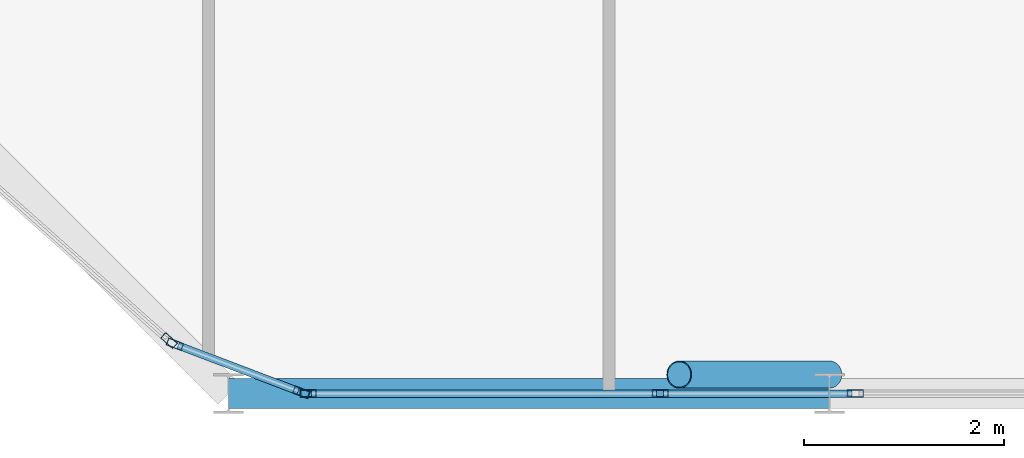
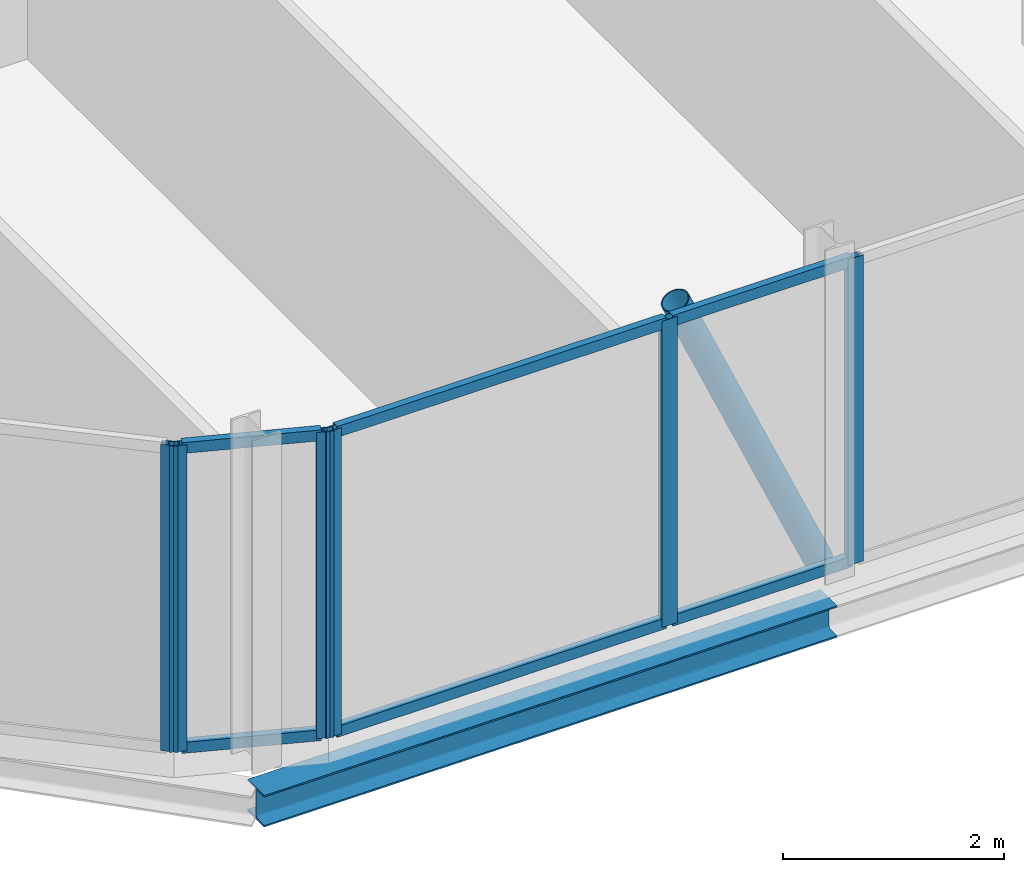
# One storey, part 6 of 27: 13 members, 1 beam, 5 elements without a shape of their own.
"""IFC4 building model written with IfcOpenShell, lengths in metres."""

from ifc_helpers import new_model, si_unit, direction, frame, origin, origin_2d, place, context, subcontext, project, spatial, hollow_rectangle, hollow_circle, i_section, extrude, material, layer, layer_set, material_profile, profile_set, type_object, element, aggregate, save


model = new_model("IFC4")

# Units and contexts
model_context = context("Model", 3, precision=1e-05, world=origin(), true_north=direction((0.0, 1.0)))
body_context = subcontext(model_context, "Body", "Model", "MODEL_VIEW")
ifc_project = project(units=[si_unit("LENGTHUNIT", "METRE"), si_unit("AREAUNIT", "SQUARE_METRE"), si_unit("VOLUMEUNIT", "CUBIC_METRE"), si_unit("PLANEANGLEUNIT", "RADIAN"), si_unit("MASSUNIT", "GRAM", prefix="KILO")], contexts=[model_context])

# Site, building, storey
site_placement = place(None, origin())
site = spatial("IfcSite", under=ifc_project, at=site_placement, CompositionType="ELEMENT")
building_placement = place(site_placement, origin())
building = spatial("IfcBuilding", under=site, at=building_placement, Name="Keshet Zoharim Tower", CompositionType="ELEMENT")
storey_placement = place(building_placement, frame((0.0, 0.0, 284.300048828125)))
storey = spatial("IfcBuildingStorey", under=building, at=storey_placement, Name="L71", CompositionType="ELEMENT", Elevation=284.300048828125)

# Beam
ifc_material_1 = material(Name="Steel S355", Category="steel")
ifc_material_profile_1 = material_profile(ifc_material_1, i_section(OverallWidth=0.300048828125, OverallDepth=0.35009765625, WebThickness=0.010009765625, FlangeThickness=0.017578125, FilletRadius=0.027099609375, at=origin_2d()), Name="HEA360")
ifc_profile_set_1 = profile_set([ifc_material_profile_1], Name="Steel S355")
beam_type = type_object("IfcBeamType", Name="BM-PRI-HA360", PredefinedType="BEAM", material=ifc_profile_set_1)
beam_placement = place(storey_placement, frame((21.0, 6.699951171875, -0.485107421875), z_axis=(1.0, 0.0, 0.0), x_axis=(0.0, 1.0, 0.0)))
element("IfcBeam", 1, at=beam_placement, inside=storey, type_object=beam_type, Name="L71 Primary Girder X-001", PredefinedType="BEAM", context=body_context, shape_type="SweptSolid", body=[
    extrude(i_section(OverallWidth=0.300048828125, OverallDepth=0.35009765625, WebThickness=0.010009765625, FlangeThickness=0.017578125, FilletRadius=0.027099609375, at=origin_2d()), origin(), (0.0, 0.0, 1.0), 6.0),
])

# Curtain wall, member
ifc_material_2 = material(Name="Aluminium 6063-T6", Category="aluminium")
ifc_layer = layer(ifc_material_2, 0.260009765625)
ifc_layer_set = layer_set([ifc_layer], Name="Aluminium 6063-T6")
curtain_wall_type = type_object("IfcCurtainWallType", Name="CW-SYS-06", PredefinedType="NOTDEFINED", material=ifc_layer_set)
curtain_wall_1_placement = place(storey_placement, origin())
curtain_wall_1 = element("IfcCurtainWall", 2, at=curtain_wall_1_placement, inside=storey, type_object=curtain_wall_type, Name="L71 Unitised Curtain Wall 14", PredefinedType="NOTDEFINED")
ifc_material_profile_2 = material_profile(ifc_material_2, hollow_rectangle(XDim=0.074951171875, YDim=0.159912109375, WallThickness=0.00390625, at=origin_2d()), Name="MUL-75x160")
ifc_profile_set_2 = profile_set([ifc_material_profile_2], Name="Aluminium 6063-T6")
member_type_1 = type_object("IfcMemberType", Name="CWM-M15", PredefinedType="MULLION", material=ifc_profile_set_2)
member_1_placement = place(storey_placement, frame((27.259765625, 6.699951171875, 0.0), z_axis=(0.0, 0.0, 1.0), x_axis=(0.0, -1.0, 0.0)))
member_1 = element("IfcMember", 3, at=member_1_placement, type_object=member_type_1, Name="CW-06 mullion 2", PredefinedType="MULLION", context=body_context, shape_type="SweptSolid", body=[
    extrude(hollow_rectangle(XDim=0.074951171875, YDim=0.159912109375, WallThickness=0.00390625, at=origin_2d()), origin(), (0.0, 0.0, 1.0), 3.389892578125),
])
aggregate(curtain_wall_1, [member_1])

curtain_wall_2_placement = place(storey_placement, origin())
curtain_wall_2 = element("IfcCurtainWall", 4, at=curtain_wall_2_placement, inside=storey, type_object=curtain_wall_type, Name="L71 Unitised Curtain Wall 14 Part 2", PredefinedType="NOTDEFINED")
member_2_placement = place(storey_placement, frame((25.310302734375, 6.699951171875, 0.0), z_axis=(0.0, 0.0, 1.0), x_axis=(0.0, -1.0, 0.0)))
member_2 = element("IfcMember", 5, at=member_2_placement, type_object=member_type_1, Name="CW-06 mullion 2", PredefinedType="MULLION", context=body_context, shape_type="SweptSolid", body=[
    extrude(hollow_rectangle(XDim=0.074951171875, YDim=0.159912109375, WallThickness=0.00390625, at=origin_2d()), origin(), (0.0, 0.0, 1.0), 3.389892578125),
])

curtain_wall_3_placement = place(storey_placement, origin())
curtain_wall_3 = element("IfcCurtainWall", 6, at=curtain_wall_3_placement, inside=storey, type_object=curtain_wall_type, Name="L71 Unitised Curtain Wall 14 Part 3", PredefinedType="NOTDEFINED")
member_3_placement = place(storey_placement, frame((21.794921875, 6.699951171875, 0.0), z_axis=(0.0, 0.0, 1.0), x_axis=(0.0, -1.0, 0.0)))
member_3 = element("IfcMember", 7, at=member_3_placement, type_object=member_type_1, Name="CW-06 mullion 2", PredefinedType="MULLION", context=body_context, shape_type="SweptSolid", body=[
    extrude(hollow_rectangle(XDim=0.074951171875, YDim=0.159912109375, WallThickness=0.00390625, at=origin_2d()), origin(), (0.0, 0.0, 1.0), 3.389892578125),
])

# Curtain wall, members
curtain_wall_4_placement = place(storey_placement, origin())
curtain_wall_4 = element("IfcCurtainWall", 8, at=curtain_wall_4_placement, inside=storey, type_object=curtain_wall_type, Name="L71 Unitised Curtain Wall 15", PredefinedType="NOTDEFINED")
member_4_placement = place(storey_placement, frame((21.727294921875, 6.71240234375, 0.0), z_axis=(0.0, 0.0, 1.0), x_axis=(-0.355439161326, -0.934699418314, 0.0)))
member_4 = element("IfcMember", 9, at=member_4_placement, type_object=member_type_1, Name="CW-06 mullion 1", PredefinedType="MULLION", context=body_context, shape_type="SweptSolid", body=[
    extrude(hollow_rectangle(XDim=0.074951171875, YDim=0.159912109375, WallThickness=0.00390625, at=origin_2d()), origin(), (0.0, 0.0, 1.0), 3.389892578125),
])
member_5_placement = place(storey_placement, frame((20.464599609375, 7.192626953125, 0.0), z_axis=(0.0, 0.0, 1.0), x_axis=(-0.355439161326, -0.934699418314, 0.0)))
member_5 = element("IfcMember", 10, at=member_5_placement, type_object=member_type_1, Name="CW-06 mullion 2", PredefinedType="MULLION", context=body_context, shape_type="SweptSolid", body=[
    extrude(hollow_rectangle(XDim=0.074951171875, YDim=0.159912109375, WallThickness=0.00390625, at=origin_2d()), origin(), (0.0, 0.0, 1.0), 3.389892578125),
])

# Curtain wall, member
curtain_wall_5_placement = place(storey_placement, origin())
curtain_wall_5 = element("IfcCurtainWall", 11, at=curtain_wall_5_placement, inside=storey, type_object=curtain_wall_type, Name="L71 Unitised Curtain Wall 16", PredefinedType="NOTDEFINED")
member_6_placement = place(storey_placement, frame((20.40576171875, 7.228271484375, 0.0), z_axis=(0.0, 0.0, 1.0), x_axis=(-0.664362180559, -0.747410792699, 0.0)))
member_6 = element("IfcMember", 12, at=member_6_placement, type_object=member_type_1, Name="CW-06 mullion 1", PredefinedType="MULLION", context=body_context, shape_type="SweptSolid", body=[
    extrude(hollow_rectangle(XDim=0.074951171875, YDim=0.159912109375, WallThickness=0.00390625, at=origin_2d()), origin(), (0.0, 0.0, 1.0), 3.389892578125),
])
aggregate(curtain_wall_5, [member_6])

# Member
ifc_material_profile_3 = material_profile(ifc_material_2, hollow_rectangle(XDim=0.074951171875, YDim=0.1201171875, WallThickness=0.00390625, at=origin_2d()), Name="TRN-75x120")
ifc_profile_set_3 = profile_set([ifc_material_profile_3], Name="Aluminium 6063-T6")
member_type_2 = type_object("IfcMemberType", Name="CWT-T12", PredefinedType="USERDEFINED", material=ifc_profile_set_3)
member_7_placement = place(storey_placement, frame((27.224853515625, 6.699951171875, 0.034912109375), z_axis=(-1.0, 0.0, 0.0), x_axis=(0.0, -1.0, 0.0)))
member_7 = element("IfcMember", 13, at=member_7_placement, type_object=member_type_2, Name="CW-06 transom 1.1", ObjectType="TRANSOM", PredefinedType="USERDEFINED", context=body_context, shape_type="SweptSolid", body=[
    extrude(hollow_rectangle(XDim=0.074951171875, YDim=0.1201171875, WallThickness=0.00390625, at=origin_2d()), origin(), (0.0, 0.0, 1.0), 1.879638671875),
])

member_8_placement = place(storey_placement, frame((27.224853515625, 6.699951171875, 3.35498046875), z_axis=(-1.0, 0.0, 0.0), x_axis=(0.0, -1.0, 0.0)))
member_8 = element("IfcMember", 14, at=member_8_placement, type_object=member_type_2, Name="CW-06 transom 1.2", ObjectType="TRANSOM", PredefinedType="USERDEFINED", context=body_context, shape_type="SweptSolid", body=[
    extrude(hollow_rectangle(XDim=0.074951171875, YDim=0.1201171875, WallThickness=0.00390625, at=origin_2d()), origin(), (0.0, 0.0, 1.0), 1.879638671875),
])

aggregate(curtain_wall_2, [member_2, member_7, member_8])

member_9_placement = place(storey_placement, frame((25.275146484375, 6.699951171875, 0.034912109375), z_axis=(-1.0, 0.0, 0.0), x_axis=(0.0, -1.0, 0.0)))
member_9 = element("IfcMember", 15, at=member_9_placement, type_object=member_type_2, Name="CW-06 transom 1.1", ObjectType="TRANSOM", PredefinedType="USERDEFINED", context=body_context, shape_type="SweptSolid", body=[
    extrude(hollow_rectangle(XDim=0.074951171875, YDim=0.1201171875, WallThickness=0.00390625, at=origin_2d()), origin(), (0.0, 0.0, 1.0), 3.445068359375),
])

member_10_placement = place(storey_placement, frame((25.275146484375, 6.699951171875, 3.35498046875), z_axis=(-1.0, 0.0, 0.0), x_axis=(0.0, -1.0, 0.0)))
member_10 = element("IfcMember", 16, at=member_10_placement, type_object=member_type_2, Name="CW-06 transom 1.2", ObjectType="TRANSOM", PredefinedType="USERDEFINED", context=body_context, shape_type="SweptSolid", body=[
    extrude(hollow_rectangle(XDim=0.074951171875, YDim=0.1201171875, WallThickness=0.00390625, at=origin_2d()), origin(), (0.0, 0.0, 1.0), 3.445068359375),
])

aggregate(curtain_wall_3, [member_3, member_9, member_10])

member_11_placement = place(storey_placement, frame((21.694580078125, 6.724853515625, 0.034912109375), z_axis=(-0.934689881536, 0.355464239206, 0.0), x_axis=(-0.355464239206, -0.934689881536, 0.0)))
member_11 = element("IfcMember", 17, at=member_11_placement, type_object=member_type_2, Name="CW-06 transom 1.1", ObjectType="TRANSOM", PredefinedType="USERDEFINED", context=body_context, shape_type="SweptSolid", body=[
    extrude(hollow_rectangle(XDim=0.074951171875, YDim=0.1201171875, WallThickness=0.00390625, at=origin_2d()), origin(), (0.0, 0.0, 1.0), 1.281005859375),
])

member_12_placement = place(storey_placement, frame((21.694580078125, 6.724853515625, 3.35498046875), z_axis=(-0.934689881536, 0.355464239206, 0.0), x_axis=(-0.355464239206, -0.934689881536, 0.0)))
member_12 = element("IfcMember", 18, at=member_12_placement, type_object=member_type_2, Name="CW-06 transom 1.2", ObjectType="TRANSOM", PredefinedType="USERDEFINED", context=body_context, shape_type="SweptSolid", body=[
    extrude(hollow_rectangle(XDim=0.074951171875, YDim=0.1201171875, WallThickness=0.00390625, at=origin_2d()), origin(), (0.0, 0.0, 1.0), 1.281005859375),
])

aggregate(curtain_wall_4, [member_4, member_5, member_11, member_12])

ifc_material_profile_4 = material_profile(ifc_material_1, hollow_circle(Radius=0.136474609375, WallThickness=0.010009765625, at=origin_2d()), Name="CHS273x10")
ifc_profile_set_4 = profile_set([ifc_material_profile_4], Name="Steel S355")
member_type_3 = type_object("IfcMemberType", Name="MB-BR-C273", PredefinedType="BRACE", material=ifc_profile_set_4)
member_13_placement = place(storey_placement, frame((27.0, 6.889892578125, 0.0), z_axis=(-0.40464689807, 0.0, 0.914473011019), x_axis=(0.0, -1.0, 0.0)))
element("IfcMember", 19, at=member_13_placement, inside=storey, type_object=member_type_3, Name="L71 Perimeter Tube Brace 02", PredefinedType="BRACE", context=body_context, shape_type="SweptSolid", body=[
    extrude(hollow_circle(Radius=0.136474609375, WallThickness=0.010009765625, at=origin_2d()), origin(), (0.0, 0.0, 1.0), 3.70703125),
])

save(model, "model.ifc")
